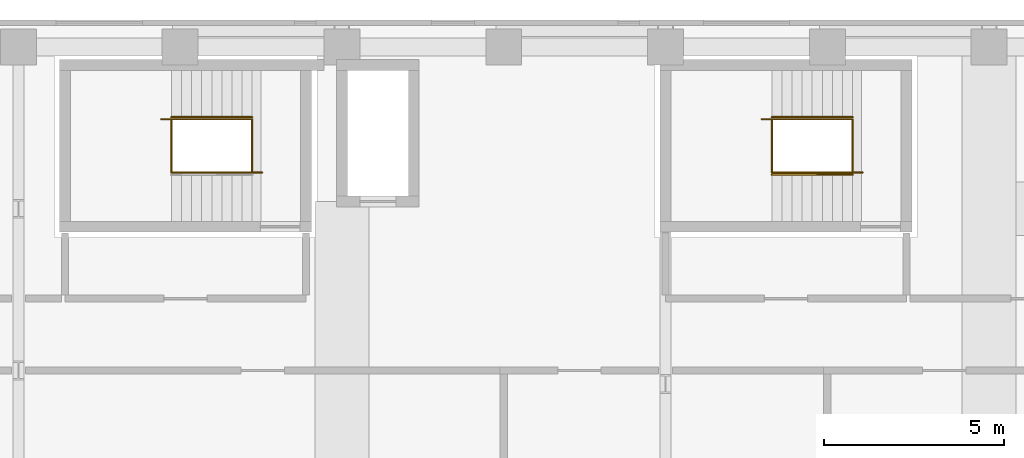
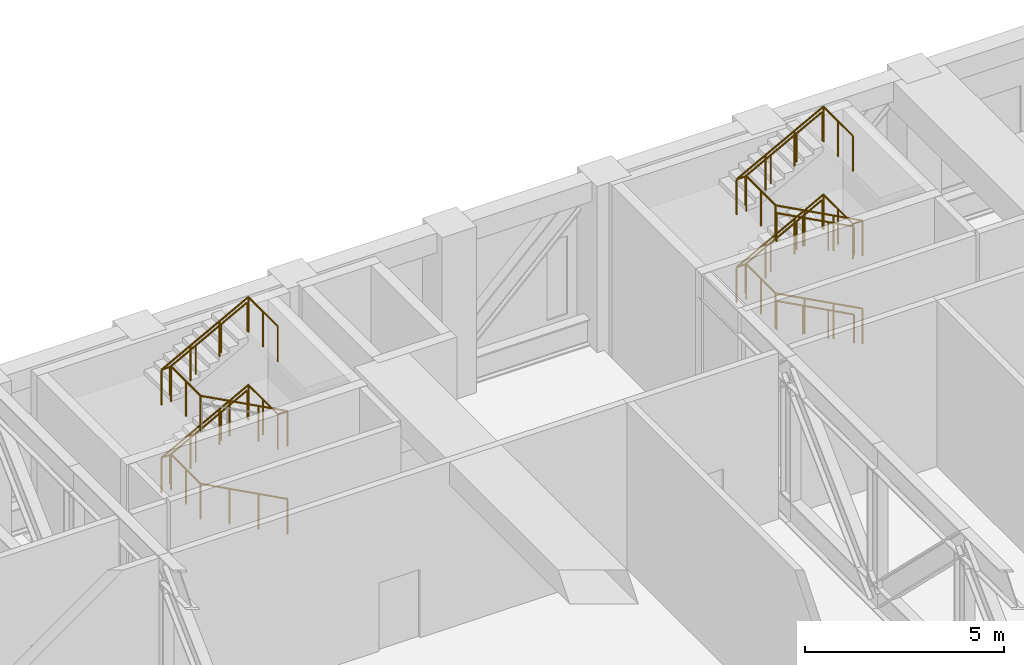
# One storey, part 13 of 14: 8 railings.
"""IFC4 building model written with IfcOpenShell, lengths in metres."""

from ifc_helpers import new_model, si_unit, direction, frame, origin, origin_2d, place, context, subcontext, project, spatial, circle, extrude, material, type_object, element, save


model = new_model("IFC4")

# Units and contexts
model_context = context("Model", 3, precision=1e-05, world=origin(), true_north=direction((0.0, 1.0)))
body_context = subcontext(model_context, "Body", "Model", "MODEL_VIEW")
ifc_project = project(units=[si_unit("LENGTHUNIT", "METRE"), si_unit("AREAUNIT", "SQUARE_METRE"), si_unit("VOLUMEUNIT", "CUBIC_METRE"), si_unit("PLANEANGLEUNIT", "RADIAN"), si_unit("MASSUNIT", "GRAM", prefix="KILO")], contexts=[model_context])

# Site, building, storey
site_placement = place(None, origin())
site = spatial("IfcSite", under=ifc_project, at=site_placement, CompositionType="ELEMENT")
building_placement = place(site_placement, origin())
building = spatial("IfcBuilding", under=site, at=building_placement, Name="Firuza Court", CompositionType="ELEMENT")
storey_placement = place(building_placement, frame((0.0, 0.0, 173.60009765625)))
storey = spatial("IfcBuildingStorey", under=building, at=storey_placement, Name="L44", CompositionType="ELEMENT", Elevation=173.60009765625)

# Railings
ifc_material_1 = material(Name="Steel S355", Category="steel")
railing_type_1 = type_object("IfcRailingType", Name="Handrail 900", PredefinedType="HANDRAIL", material=ifc_material_1)
for number, where, name in (
    (1, (40.260009765625, 56.550048828125, 1.5), "Handrail S1 flight 2"),
    (2, (40.260009765625, 56.550048828125, 4.199951171875), "Handrail S1 flight 4"),
):
    element("IfcRailing", number, at=place(storey_placement, frame(where)), inside=storey, type_object=railing_type_1, Name=name, PredefinedType="HANDRAIL", context=body_context, shape_type="SweptSolid", body=[
        extrude(circle(Radius=0.02490234375, at=origin_2d()), frame((0.0, 0.0, 0.875), z_axis=(0.881487111273, 0.0, 0.472208081951), x_axis=(0.0, 1.0, 0.0)), (0.0, 0.0, 1.0), 2.541259765625),
        extrude(circle(Radius=0.02001953125, at=origin_2d()), origin(), (0.0, 0.0, 1.0), 0.849853515625),
        extrude(circle(Radius=0.02001953125, at=origin_2d()), frame((0.74658203125, 0.0, 0.39990234375)), (0.0, 0.0, 1.0), 0.849853515625),
        extrude(circle(Radius=0.02001953125, at=origin_2d()), frame((1.493408203125, 0.0, 0.800048828125)), (0.0, 0.0, 1.0), 0.849853515625),
        extrude(circle(Radius=0.02001953125, at=origin_2d()), frame((2.239990234375, 0.0, 1.199951171875)), (0.0, 0.0, 1.0), 0.849853515625),
    ])
railing_1_placement = place(storey_placement, frame((59.199951171875, 54.949951171875, 0.14990234375)))
element("IfcRailing", 3, at=railing_1_placement, inside=storey, type_object=railing_type_1, Name="Handrail S4 flight 1", PredefinedType="HANDRAIL", context=body_context, shape_type="SweptSolid", body=[
    extrude(circle(Radius=0.02490234375, at=origin_2d()), frame((0.0, 0.0, 0.875), z_axis=(-0.881487111273, 0.0, 0.472208081951), x_axis=(0.0, -1.0, 0.0)), (0.0, 0.0, 1.0), 2.541259765625),
    extrude(circle(Radius=0.02001953125, at=origin_2d()), origin(), (0.0, 0.0, 1.0), 0.849853515625),
    extrude(circle(Radius=0.02001953125, at=origin_2d()), frame((-0.74658203125, 0.0, 0.39990234375)), (0.0, 0.0, 1.0), 0.849853515625),
    extrude(circle(Radius=0.02001953125, at=origin_2d()), frame((-1.493408203125, 0.0, 0.800048828125)), (0.0, 0.0, 1.0), 0.849853515625),
    extrude(circle(Radius=0.02001953125, at=origin_2d()), frame((-2.239990234375, 0.0, 1.199951171875)), (0.0, 0.0, 1.0), 0.849853515625),
])
railing_2_placement = place(storey_placement, frame((56.9599609375, 56.550048828125, 1.5)))
element("IfcRailing", 4, at=railing_2_placement, inside=storey, type_object=railing_type_1, Name="Handrail S4 flight 2", PredefinedType="HANDRAIL", context=body_context, shape_type="SweptSolid", body=[
    extrude(circle(Radius=0.02490234375, at=origin_2d()), frame((0.0, 0.0, 0.875), z_axis=(0.881487111273, 0.0, 0.472208081951), x_axis=(0.0, 1.0, 0.0)), (0.0, 0.0, 1.0), 2.541259765625),
    extrude(circle(Radius=0.02001953125, at=origin_2d()), origin(), (0.0, 0.0, 1.0), 0.849853515625),
    extrude(circle(Radius=0.02001953125, at=origin_2d()), frame((0.74658203125, 0.0, 0.39990234375)), (0.0, 0.0, 1.0), 0.849853515625),
    extrude(circle(Radius=0.02001953125, at=origin_2d()), frame((1.493408203125, 0.0, 0.800048828125)), (0.0, 0.0, 1.0), 0.849853515625),
    extrude(circle(Radius=0.02001953125, at=origin_2d()), frame((2.239990234375, 0.0, 1.199951171875)), (0.0, 0.0, 1.0), 0.849853515625),
])
railing_3_placement = place(storey_placement, frame((59.199951171875, 54.949951171875, 2.849853515625)))
element("IfcRailing", 5, at=railing_3_placement, inside=storey, type_object=railing_type_1, Name="Handrail S4 flight 3", PredefinedType="HANDRAIL", context=body_context, shape_type="SweptSolid", body=[
    extrude(circle(Radius=0.02490234375, at=origin_2d()), frame((0.0, 0.0, 0.875), z_axis=(-0.881487111273, 0.0, 0.472208081951), x_axis=(0.0, -1.0, 0.0)), (0.0, 0.0, 1.0), 2.541259765625),
    extrude(circle(Radius=0.02001953125, at=origin_2d()), origin(), (0.0, 0.0, 1.0), 0.849853515625),
    extrude(circle(Radius=0.02001953125, at=origin_2d()), frame((-0.74658203125, 0.0, 0.39990234375)), (0.0, 0.0, 1.0), 0.849853515625),
    extrude(circle(Radius=0.02001953125, at=origin_2d()), frame((-1.493408203125, 0.0, 0.800048828125)), (0.0, 0.0, 1.0), 0.849853515625),
    extrude(circle(Radius=0.02001953125, at=origin_2d()), frame((-2.239990234375, 0.0, 1.199951171875)), (0.0, 0.0, 1.0), 0.849853515625),
])
railing_4_placement = place(storey_placement, frame((56.9599609375, 56.550048828125, 4.199951171875)))
element("IfcRailing", 6, at=railing_4_placement, inside=storey, type_object=railing_type_1, Name="Handrail S4 flight 4", PredefinedType="HANDRAIL", context=body_context, shape_type="SweptSolid", body=[
    extrude(circle(Radius=0.02490234375, at=origin_2d()), frame((0.0, 0.0, 0.875), z_axis=(0.881487111273, 0.0, 0.472208081951), x_axis=(0.0, 1.0, 0.0)), (0.0, 0.0, 1.0), 2.541259765625),
    extrude(circle(Radius=0.02001953125, at=origin_2d()), origin(), (0.0, 0.0, 1.0), 0.849853515625),
    extrude(circle(Radius=0.02001953125, at=origin_2d()), frame((0.74658203125, 0.0, 0.39990234375)), (0.0, 0.0, 1.0), 0.849853515625),
    extrude(circle(Radius=0.02001953125, at=origin_2d()), frame((1.493408203125, 0.0, 0.800048828125)), (0.0, 0.0, 1.0), 0.849853515625),
    extrude(circle(Radius=0.02001953125, at=origin_2d()), frame((2.239990234375, 0.0, 1.199951171875)), (0.0, 0.0, 1.0), 0.849853515625),
])
ifc_material_2 = material(Name="Steel S355", Category="steel")
railing_type_2 = type_object("IfcRailingType", Name="Stair guard 1100", PredefinedType="GUARDRAIL", material=ifc_material_2)
railing_5_placement = place(storey_placement, frame((42.780029296875, 55.010009765625, 0.0)))
element("IfcRailing", 7, at=railing_5_placement, inside=storey, type_object=railing_type_2, Name="Stair well guard S1", PredefinedType="GUARDRAIL", context=body_context, shape_type="SweptSolid", body=[
    extrude(circle(Radius=0.02490234375, at=origin_2d()), frame((0.0, 0.0, 1.0751953125), z_axis=(-0.88150282143, 0.0, 0.472178754087), x_axis=(0.0, -1.0, 0.0)), (0.0, 0.0, 1.0), 2.85888671875),
    extrude(circle(Radius=0.02490234375, at=origin_2d()), frame((-2.52001953125, 0.0, 2.4248046875), z_axis=(0.0, 1.0, 0.0), x_axis=(-1.0, 0.0, 0.0)), (0.0, 0.0, 1.0), 1.47998046875),
    extrude(circle(Radius=0.02490234375, at=origin_2d()), frame((-2.52001953125, 1.47998046875, 2.4248046875), z_axis=(-1.0, 0.0, 0.0), x_axis=(0.0, -1.0, 0.0)), (0.0, 0.0, 1.0), 0.280029296875),
    extrude(circle(Radius=0.02490234375, at=origin_2d()), frame((-2.800048828125, 1.47998046875, 2.4248046875), z_axis=(0.881467274426, 0.0, 0.472245110209), x_axis=(0.0, 1.0, 0.0)), (0.0, 0.0, 1.0), 2.85888671875),
    extrude(circle(Radius=0.02490234375, at=origin_2d()), frame((-0.280029296875, 1.47998046875, 3.77490234375), z_axis=(0.0, -1.0, 0.0), x_axis=(1.0, 0.0, 0.0)), (0.0, 0.0, 1.0), 1.47998046875),
    extrude(circle(Radius=0.02490234375, at=origin_2d()), frame((-0.280029296875, 0.0, 3.77490234375), z_axis=(1.0, 0.0, 0.0), x_axis=(0.0, 1.0, 0.0)), (0.0, 0.0, 1.0), 0.280029296875),
    extrude(circle(Radius=0.02490234375, at=origin_2d()), frame((0.0, 0.0, 3.77490234375), z_axis=(-0.88150282143, 0.0, 0.472178754087), x_axis=(0.0, -1.0, 0.0)), (0.0, 0.0, 1.0), 2.85888671875),
    extrude(circle(Radius=0.02490234375, at=origin_2d()), frame((-2.52001953125, 0.0, 5.125), z_axis=(0.0, 1.0, 0.0), x_axis=(-1.0, 0.0, 0.0)), (0.0, 0.0, 1.0), 1.47998046875),
    extrude(circle(Radius=0.02490234375, at=origin_2d()), frame((-2.52001953125, 1.47998046875, 5.125), z_axis=(-1.0, 0.0, 0.0), x_axis=(0.0, -1.0, 0.0)), (0.0, 0.0, 1.0), 0.280029296875),
    extrude(circle(Radius=0.02490234375, at=origin_2d()), frame((-2.800048828125, 1.47998046875, 5.125), z_axis=(0.881467274426, 0.0, 0.472245110209), x_axis=(0.0, 1.0, 0.0)), (0.0, 0.0, 1.0), 2.85888671875),
    extrude(circle(Radius=0.02490234375, at=origin_2d()), frame((-0.280029296875, 1.47998046875, 6.47509765625), z_axis=(0.0, -1.0, 0.0), x_axis=(1.0, 0.0, 0.0)), (0.0, 0.0, 1.0), 1.47998046875),
    extrude(circle(Radius=0.02490234375, at=origin_2d()), origin(), (0.0, 0.0, 1.0), 1.050048828125),
    extrude(circle(Radius=0.02490234375, at=origin_2d()), frame((-0.840087890625, 0.0, 0.449951171875)), (0.0, 0.0, 1.0), 1.050048828125),
    extrude(circle(Radius=0.02490234375, at=origin_2d()), frame((-1.679931640625, 0.0, 0.89990234375)), (0.0, 0.0, 1.0), 1.050048828125),
    extrude(circle(Radius=0.02490234375, at=origin_2d()), frame((-2.52001953125, 0.0, 1.349853515625)), (0.0, 0.0, 1.0), 1.050048828125),
    extrude(circle(Radius=0.02490234375, at=origin_2d()), frame((-2.52001953125, 0.739990234375, 1.349853515625)), (0.0, 0.0, 1.0), 1.050048828125),
    extrude(circle(Radius=0.02490234375, at=origin_2d()), frame((-2.52001953125, 1.47998046875, 1.349853515625)), (0.0, 0.0, 1.0), 1.050048828125),
    extrude(circle(Radius=0.02490234375, at=origin_2d()), frame((-2.800048828125, 1.47998046875, 1.349853515625)), (0.0, 0.0, 1.0), 1.050048828125),
    extrude(circle(Radius=0.02490234375, at=origin_2d()), frame((-1.9599609375, 1.47998046875, 1.7998046875)), (0.0, 0.0, 1.0), 1.050048828125),
    extrude(circle(Radius=0.02490234375, at=origin_2d()), frame((-1.1201171875, 1.47998046875, 2.25)), (0.0, 0.0, 1.0), 1.050048828125),
    extrude(circle(Radius=0.02490234375, at=origin_2d()), frame((-0.280029296875, 1.47998046875, 2.699951171875)), (0.0, 0.0, 1.0), 1.050048828125),
    extrude(circle(Radius=0.02490234375, at=origin_2d()), frame((-0.280029296875, 0.739990234375, 2.699951171875)), (0.0, 0.0, 1.0), 1.050048828125),
    extrude(circle(Radius=0.02490234375, at=origin_2d()), frame((-0.280029296875, 0.0, 2.699951171875)), (0.0, 0.0, 1.0), 1.050048828125),
    extrude(circle(Radius=0.02490234375, at=origin_2d()), frame((0.0, 0.0, 2.699951171875)), (0.0, 0.0, 1.0), 1.050048828125),
    extrude(circle(Radius=0.02490234375, at=origin_2d()), frame((-0.840087890625, 0.0, 3.14990234375)), (0.0, 0.0, 1.0), 1.050048828125),
    extrude(circle(Radius=0.02490234375, at=origin_2d()), frame((-1.679931640625, 0.0, 3.599853515625)), (0.0, 0.0, 1.0), 1.050048828125),
    extrude(circle(Radius=0.02490234375, at=origin_2d()), frame((-2.52001953125, 0.0, 4.0498046875)), (0.0, 0.0, 1.0), 1.050048828125),
    extrude(circle(Radius=0.02490234375, at=origin_2d()), frame((-2.52001953125, 0.739990234375, 4.0498046875)), (0.0, 0.0, 1.0), 1.050048828125),
    extrude(circle(Radius=0.02490234375, at=origin_2d()), frame((-2.52001953125, 1.47998046875, 4.0498046875)), (0.0, 0.0, 1.0), 1.050048828125),
    extrude(circle(Radius=0.02490234375, at=origin_2d()), frame((-2.800048828125, 1.47998046875, 4.0498046875)), (0.0, 0.0, 1.0), 1.050048828125),
    extrude(circle(Radius=0.02490234375, at=origin_2d()), frame((-1.9599609375, 1.47998046875, 4.499755859375)), (0.0, 0.0, 1.0), 1.050048828125),
    extrude(circle(Radius=0.02490234375, at=origin_2d()), frame((-1.1201171875, 1.47998046875, 4.949951171875)), (0.0, 0.0, 1.0), 1.050048828125),
    extrude(circle(Radius=0.02490234375, at=origin_2d()), frame((-0.280029296875, 1.47998046875, 5.39990234375)), (0.0, 0.0, 1.0), 1.050048828125),
    extrude(circle(Radius=0.02490234375, at=origin_2d()), frame((-0.280029296875, 0.739990234375, 5.39990234375)), (0.0, 0.0, 1.0), 1.050048828125),
    extrude(circle(Radius=0.02490234375, at=origin_2d()), frame((-0.280029296875, 0.0, 5.39990234375)), (0.0, 0.0, 1.0), 1.050048828125),
])
railing_6_placement = place(storey_placement, frame((59.47998046875, 55.010009765625, 0.0)))
element("IfcRailing", 8, at=railing_6_placement, inside=storey, type_object=railing_type_2, Name="Stair well guard S4", PredefinedType="GUARDRAIL", context=body_context, shape_type="SweptSolid", body=[
    extrude(circle(Radius=0.02490234375, at=origin_2d()), frame((0.0, 0.0, 1.0751953125), z_axis=(-0.88150282143, 0.0, 0.472178754087), x_axis=(0.0, -1.0, 0.0)), (0.0, 0.0, 1.0), 2.85888671875),
    extrude(circle(Radius=0.02490234375, at=origin_2d()), frame((-2.52001953125, 0.0, 2.4248046875), z_axis=(0.0, 1.0, 0.0), x_axis=(-1.0, 0.0, 0.0)), (0.0, 0.0, 1.0), 1.47998046875),
    extrude(circle(Radius=0.02490234375, at=origin_2d()), frame((-2.52001953125, 1.47998046875, 2.4248046875), z_axis=(-1.0, 0.0, 0.0), x_axis=(0.0, -1.0, 0.0)), (0.0, 0.0, 1.0), 0.280029296875),
    extrude(circle(Radius=0.02490234375, at=origin_2d()), frame((-2.800048828125, 1.47998046875, 2.4248046875), z_axis=(0.881467274426, 0.0, 0.472245110209), x_axis=(0.0, 1.0, 0.0)), (0.0, 0.0, 1.0), 2.85888671875),
    extrude(circle(Radius=0.02490234375, at=origin_2d()), frame((-0.280029296875, 1.47998046875, 3.77490234375), z_axis=(0.0, -1.0, 0.0), x_axis=(1.0, 0.0, 0.0)), (0.0, 0.0, 1.0), 1.47998046875),
    extrude(circle(Radius=0.02490234375, at=origin_2d()), frame((-0.280029296875, 0.0, 3.77490234375), z_axis=(1.0, 0.0, 0.0), x_axis=(0.0, 1.0, 0.0)), (0.0, 0.0, 1.0), 0.280029296875),
    extrude(circle(Radius=0.02490234375, at=origin_2d()), frame((0.0, 0.0, 3.77490234375), z_axis=(-0.88150282143, 0.0, 0.472178754087), x_axis=(0.0, -1.0, 0.0)), (0.0, 0.0, 1.0), 2.85888671875),
    extrude(circle(Radius=0.02490234375, at=origin_2d()), frame((-2.52001953125, 0.0, 5.125), z_axis=(0.0, 1.0, 0.0), x_axis=(-1.0, 0.0, 0.0)), (0.0, 0.0, 1.0), 1.47998046875),
    extrude(circle(Radius=0.02490234375, at=origin_2d()), frame((-2.52001953125, 1.47998046875, 5.125), z_axis=(-1.0, 0.0, 0.0), x_axis=(0.0, -1.0, 0.0)), (0.0, 0.0, 1.0), 0.280029296875),
    extrude(circle(Radius=0.02490234375, at=origin_2d()), frame((-2.800048828125, 1.47998046875, 5.125), z_axis=(0.881467274426, 0.0, 0.472245110209), x_axis=(0.0, 1.0, 0.0)), (0.0, 0.0, 1.0), 2.85888671875),
    extrude(circle(Radius=0.02490234375, at=origin_2d()), frame((-0.280029296875, 1.47998046875, 6.47509765625), z_axis=(0.0, -1.0, 0.0), x_axis=(1.0, 0.0, 0.0)), (0.0, 0.0, 1.0), 1.47998046875),
    extrude(circle(Radius=0.02490234375, at=origin_2d()), origin(), (0.0, 0.0, 1.0), 1.050048828125),
    extrude(circle(Radius=0.02490234375, at=origin_2d()), frame((-0.840087890625, 0.0, 0.449951171875)), (0.0, 0.0, 1.0), 1.050048828125),
    extrude(circle(Radius=0.02490234375, at=origin_2d()), frame((-1.679931640625, 0.0, 0.89990234375)), (0.0, 0.0, 1.0), 1.050048828125),
    extrude(circle(Radius=0.02490234375, at=origin_2d()), frame((-2.52001953125, 0.0, 1.349853515625)), (0.0, 0.0, 1.0), 1.050048828125),
    extrude(circle(Radius=0.02490234375, at=origin_2d()), frame((-2.52001953125, 0.739990234375, 1.349853515625)), (0.0, 0.0, 1.0), 1.050048828125),
    extrude(circle(Radius=0.02490234375, at=origin_2d()), frame((-2.52001953125, 1.47998046875, 1.349853515625)), (0.0, 0.0, 1.0), 1.050048828125),
    extrude(circle(Radius=0.02490234375, at=origin_2d()), frame((-2.800048828125, 1.47998046875, 1.349853515625)), (0.0, 0.0, 1.0), 1.050048828125),
    extrude(circle(Radius=0.02490234375, at=origin_2d()), frame((-1.9599609375, 1.47998046875, 1.7998046875)), (0.0, 0.0, 1.0), 1.050048828125),
    extrude(circle(Radius=0.02490234375, at=origin_2d()), frame((-1.1201171875, 1.47998046875, 2.25)), (0.0, 0.0, 1.0), 1.050048828125),
    extrude(circle(Radius=0.02490234375, at=origin_2d()), frame((-0.280029296875, 1.47998046875, 2.699951171875)), (0.0, 0.0, 1.0), 1.050048828125),
    extrude(circle(Radius=0.02490234375, at=origin_2d()), frame((-0.280029296875, 0.739990234375, 2.699951171875)), (0.0, 0.0, 1.0), 1.050048828125),
    extrude(circle(Radius=0.02490234375, at=origin_2d()), frame((-0.280029296875, 0.0, 2.699951171875)), (0.0, 0.0, 1.0), 1.050048828125),
    extrude(circle(Radius=0.02490234375, at=origin_2d()), frame((0.0, 0.0, 2.699951171875)), (0.0, 0.0, 1.0), 1.050048828125),
    extrude(circle(Radius=0.02490234375, at=origin_2d()), frame((-0.840087890625, 0.0, 3.14990234375)), (0.0, 0.0, 1.0), 1.050048828125),
    extrude(circle(Radius=0.02490234375, at=origin_2d()), frame((-1.679931640625, 0.0, 3.599853515625)), (0.0, 0.0, 1.0), 1.050048828125),
    extrude(circle(Radius=0.02490234375, at=origin_2d()), frame((-2.52001953125, 0.0, 4.0498046875)), (0.0, 0.0, 1.0), 1.050048828125),
    extrude(circle(Radius=0.02490234375, at=origin_2d()), frame((-2.52001953125, 0.739990234375, 4.0498046875)), (0.0, 0.0, 1.0), 1.050048828125),
    extrude(circle(Radius=0.02490234375, at=origin_2d()), frame((-2.52001953125, 1.47998046875, 4.0498046875)), (0.0, 0.0, 1.0), 1.050048828125),
    extrude(circle(Radius=0.02490234375, at=origin_2d()), frame((-2.800048828125, 1.47998046875, 4.0498046875)), (0.0, 0.0, 1.0), 1.050048828125),
    extrude(circle(Radius=0.02490234375, at=origin_2d()), frame((-1.9599609375, 1.47998046875, 4.499755859375)), (0.0, 0.0, 1.0), 1.050048828125),
    extrude(circle(Radius=0.02490234375, at=origin_2d()), frame((-1.1201171875, 1.47998046875, 4.949951171875)), (0.0, 0.0, 1.0), 1.050048828125),
    extrude(circle(Radius=0.02490234375, at=origin_2d()), frame((-0.280029296875, 1.47998046875, 5.39990234375)), (0.0, 0.0, 1.0), 1.050048828125),
    extrude(circle(Radius=0.02490234375, at=origin_2d()), frame((-0.280029296875, 0.739990234375, 5.39990234375)), (0.0, 0.0, 1.0), 1.050048828125),
    extrude(circle(Radius=0.02490234375, at=origin_2d()), frame((-0.280029296875, 0.0, 5.39990234375)), (0.0, 0.0, 1.0), 1.050048828125),
])

save(model, "model.ifc")
